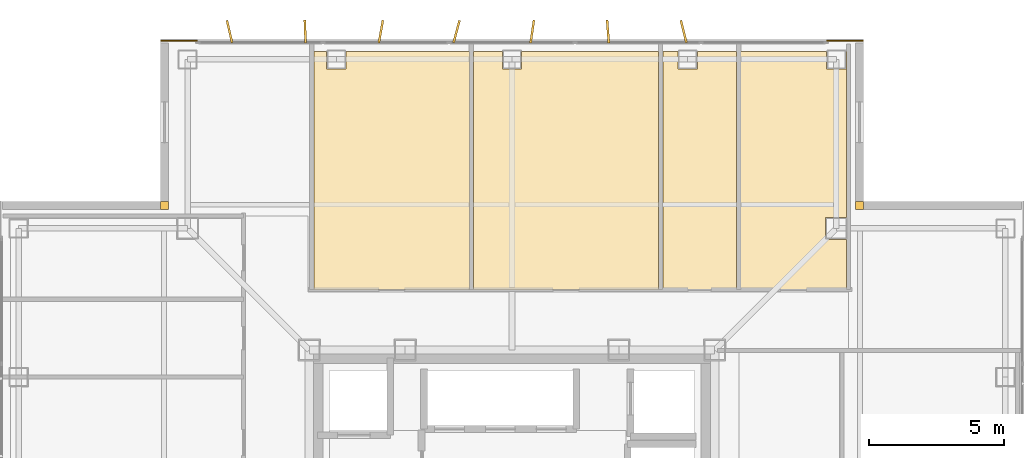
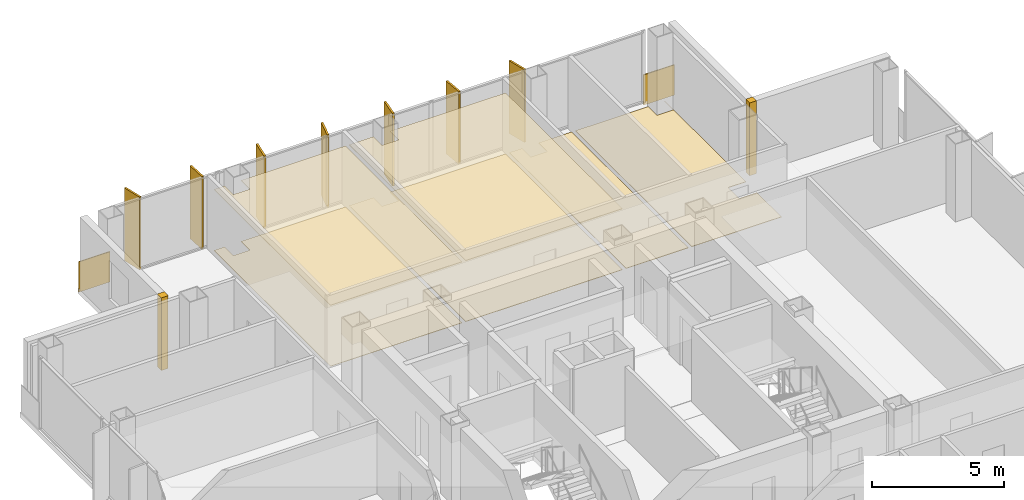
# One storey, part 15 of 15: 10 coverings, 7 shading devices.
"""IFC4 building model written with IfcOpenShell, lengths in metres."""

from ifc_helpers import new_model, si_unit, direction, frame, frame_2d, origin, origin_2d, place, context, subcontext, project, spatial, polyline, rectangle, outline, extrude, material, layer, layer_set, type_object, element, save


model = new_model("IFC4")

# Units and contexts
model_context = context("Model", 3, precision=1e-05, world=origin(), true_north=direction((0.0, 1.0)))
body_context = subcontext(model_context, "Body", "Model", "MODEL_VIEW")
ifc_project = project(units=[si_unit("LENGTHUNIT", "METRE"), si_unit("AREAUNIT", "SQUARE_METRE"), si_unit("VOLUMEUNIT", "CUBIC_METRE"), si_unit("PLANEANGLEUNIT", "RADIAN"), si_unit("MASSUNIT", "GRAM", prefix="KILO")], contexts=[model_context])

# Site, building, storey
site_placement = place(None, origin())
site = spatial("IfcSite", under=ifc_project, at=site_placement, CompositionType="ELEMENT")
building_placement = place(site_placement, origin())
building = spatial("IfcBuilding", under=site, at=building_placement, Name="Trevonay Congress Spire", CompositionType="ELEMENT")
storey_placement = place(building_placement, frame((0.0, 0.0, 239.60009765625)))
storey = spatial("IfcBuildingStorey", under=building, at=storey_placement, Name="L62", CompositionType="ELEMENT", Elevation=239.60009765625)

# Coverings
ifc_material_1 = material(Name="Acoustic Mineral Fibre Board", Category="gypsum")
ifc_layer_1 = layer(ifc_material_1, 0.02490234375, Name="Acoustic Mineral Fibre Board")
ifc_layer_set_1 = layer_set([ifc_layer_1], Name="Acoustic Mineral Fibre Board")
covering_type_1 = type_object("IfcCoveringType", Name="COV-CEIL-ACOUSTIC", PredefinedType="CEILING", material=ifc_layer_set_1)
covering_1_placement = place(storey_placement, frame((0.0, 0.0, 2.809814453125)))
element("IfcCovering", 1, at=covering_1_placement, inside=storey, type_object=covering_type_1, Name="L62 Defense Attache Office acoustic suspended ceiling", PredefinedType="CEILING", context=body_context, shape_type="SweptSolid", body=[
    extrude(outline(polyline([(-1.580078125, 18.550048828125), (-1.580078125, 9.72998046875), (-7.320068359375, 9.72998046875), (-7.320068359375, 18.550048828125), (-6.860107421875, 18.550048828125), (-6.860107421875, 17.889892578125), (-6.139892578125, 17.889892578125), (-6.139892578125, 18.550048828125), (-1.580078125, 18.550048828125)])), origin(), (0.0, 0.0, 1.0), 0.025146484375),
])
covering_2_placement = place(storey_placement, frame((0.0, 0.0, 2.809814453125)))
element("IfcCovering", 2, at=covering_2_placement, inside=storey, type_object=covering_type_1, Name="L62 Trade Attache Office acoustic suspended ceiling", PredefinedType="CEILING", context=body_context, shape_type="SweptSolid", body=[
    extrude(outline(polyline([(5.419921875, 18.550048828125), (5.419921875, 9.72998046875), (-1.419921875, 9.72998046875), (-1.419921875, 18.550048828125), (-0.360107421875, 18.550048828125), (-0.360107421875, 17.889892578125), (0.360107421875, 17.889892578125), (0.360107421875, 18.550048828125), (5.419921875, 18.550048828125)])), origin(), (0.0, 0.0, 1.0), 0.025146484375),
])
ifc_material_2 = material(Name="Polished Granite Floor Tile", Category="masonry")
ifc_layer_2 = layer(ifc_material_2, 0.02001953125, Name="Polished Granite Floor Tile")
ifc_layer_set_2 = layer_set([ifc_layer_2], Name="Polished Granite Floor Tile")
covering_type_2 = type_object("IfcCoveringType", Name="COV-FLOOR-STONE", PredefinedType="FLOORING", material=ifc_layer_set_2)
covering_3_placement = place(storey_placement, origin())
element("IfcCovering", 3, at=covering_3_placement, inside=storey, type_object=covering_type_2, Name="L62 Female Restroom WC floor finish", PredefinedType="FLOORING", context=body_context, shape_type="SweptSolid", body=[
    extrude(outline(polyline([(8.300048828125, 18.550048828125), (8.300048828125, 9.72998046875), (5.580078125, 9.72998046875), (5.580078125, 18.550048828125), (6.139892578125, 18.550048828125), (6.139892578125, 17.889892578125), (6.860107421875, 17.889892578125), (6.860107421875, 18.550048828125), (8.300048828125, 18.550048828125)])), origin(), (0.0, 0.0, 1.0), 0.02001953125),
])
covering_4_placement = place(storey_placement, origin())
element("IfcCovering", 4, at=covering_4_placement, inside=storey, type_object=covering_type_2, Name="L62 Floor Supplies and Copy Room floor finish", PredefinedType="FLOORING", context=body_context, shape_type="SweptSolid", body=[
    extrude(outline(polyline([(12.3701171875, 9.72998046875), (8.4599609375, 9.72998046875), (8.4599609375, 18.550048828125), (11.639892578125, 18.550048828125), (11.639892578125, 17.889892578125), (12.360107421875, 17.889892578125), (12.360107421875, 18.550048828125), (12.3701171875, 18.550048828125), (12.3701171875, 12.409912109375), (11.590087890625, 12.409912109375), (11.590087890625, 11.590087890625), (12.3701171875, 11.590087890625), (12.3701171875, 9.72998046875)])), origin(), (0.0, 0.0, 1.0), 0.02001953125),
])
ifc_material_3 = material(Name="Engineered Oak Flooring", Category="wood")
ifc_layer_3 = layer(ifc_material_3, 0.01806640625, Name="Engineered Oak Flooring")
ifc_layer_set_3 = layer_set([ifc_layer_3], Name="Engineered Oak Flooring")
covering_type_3 = type_object("IfcCoveringType", Name="COV-FLOOR-TIMBER", PredefinedType="FLOORING", material=ifc_layer_set_3)
covering_5_placement = place(storey_placement, origin())
element("IfcCovering", 5, at=covering_5_placement, inside=storey, type_object=covering_type_3, Name="L62 Defense Attache Office floor finish", PredefinedType="FLOORING", context=body_context, shape_type="SweptSolid", body=[
    extrude(outline(polyline([(-1.580078125, 18.550048828125), (-1.580078125, 9.72998046875), (-7.320068359375, 9.72998046875), (-7.320068359375, 18.550048828125), (-6.860107421875, 18.550048828125), (-6.860107421875, 17.889892578125), (-6.139892578125, 17.889892578125), (-6.139892578125, 18.550048828125), (-1.580078125, 18.550048828125)])), origin(), (0.0, 0.0, 1.0), 0.017822265625),
])
covering_6_placement = place(storey_placement, origin())
element("IfcCovering", 6, at=covering_6_placement, inside=storey, type_object=covering_type_3, Name="L62 Trade Attache Office floor finish", PredefinedType="FLOORING", context=body_context, shape_type="SweptSolid", body=[
    extrude(outline(polyline([(5.419921875, 18.550048828125), (5.419921875, 9.72998046875), (-1.419921875, 9.72998046875), (-1.419921875, 18.550048828125), (-0.360107421875, 18.550048828125), (-0.360107421875, 17.889892578125), (0.360107421875, 17.889892578125), (0.360107421875, 18.550048828125), (5.419921875, 18.550048828125)])), origin(), (0.0, 0.0, 1.0), 0.017822265625),
])
ifc_material_4 = material(Name="Pale Anodised Aluminium EN AW-6063-T6", Category="aluminium")
ifc_layer_4 = layer(ifc_material_4, 0.0400390625, Name="Pale Anodised Aluminium EN AW-6063-T6")
ifc_layer_set_4 = layer_set([ifc_layer_4], Name="Pale Anodised Aluminium EN AW-6063-T6")
covering_type_4 = type_object("IfcCoveringType", Name="COV-SPANDREL-PALE-METAL", PredefinedType="CLADDING", material=ifc_layer_set_4)
covering_7_placement = place(storey_placement, origin())
element("IfcCovering", 7, at=covering_7_placement, inside=storey, type_object=covering_type_4, Name="L62 NE re-entrant notch corner closure trim", PredefinedType="CLADDING", context=body_context, shape_type="SweptSolid", body=[
    extrude(outline(polyline([(12.699951171875, 12.699951171875), (13.0, 12.699951171875), (13.0, 13.0), (12.699951171875, 13.0), (12.699951171875, 12.699951171875)])), origin(), (0.0, 0.0, 1.0), 3.35986328125),
])
covering_8_placement = place(storey_placement, frame((11.64990234375, 18.93994140625, -0.150146484375), z_axis=(0.0, 0.0, 1.0), x_axis=(1.0, 0.0, 0.0)))
element("IfcCovering", 8, at=covering_8_placement, inside=storey, type_object=covering_type_4, Name="L62 NE corner pier spandrel cladding 2", PredefinedType="CLADDING", context=body_context, shape_type="SweptSolid", body=[
    extrude(rectangle(XDim=1.35009765625, YDim=0.0400390625, at=frame_2d((0.675048828125, 0.0))), origin(), (0.0, 0.0, 1.0), 1.400146484375),
])
covering_9_placement = place(storey_placement, origin())
element("IfcCovering", 9, at=covering_9_placement, inside=storey, type_object=covering_type_4, Name="L62 NW re-entrant notch corner closure trim", PredefinedType="CLADDING", context=body_context, shape_type="SweptSolid", body=[
    extrude(outline(polyline([(-13.0, 12.699951171875), (-12.699951171875, 12.699951171875), (-12.699951171875, 13.0), (-13.0, 13.0), (-13.0, 12.699951171875)])), origin(), (0.0, 0.0, 1.0), 3.35986328125),
])
covering_10_placement = place(storey_placement, frame((-11.64990234375, 18.93994140625, -0.150146484375), z_axis=(0.0, 0.0, 1.0), x_axis=(-1.0, 0.0, 0.0)))
element("IfcCovering", 10, at=covering_10_placement, inside=storey, type_object=covering_type_4, Name="L62 NW corner pier spandrel cladding 2", PredefinedType="CLADDING", context=body_context, shape_type="SweptSolid", body=[
    extrude(rectangle(XDim=1.35009765625, YDim=0.0400390625, at=frame_2d((0.675048828125, 0.0))), origin(), (0.0, 0.0, 1.0), 1.400146484375),
])

# Shading devices
shading_device_type = type_object("IfcShadingDeviceType", Name="SHD-FIN-Z4-PALE-METAL", PredefinedType="USERDEFINED", material=ifc_material_4)
for number, where, z_axis, x_axis, name in (
    (11, (-10.449951171875, 19.280029296875, 0.0), (0.0, 0.0, 1.0), (0.97440931131, 0.224780991261, 0.0), "L62 N vertical pale-metal solar fin 1"),
    (12, (-7.64990234375, 19.280029296875, 0.0), (0.0, 0.0, 1.0), (0.999235873152, 0.039085416795, 0.0), "L62 N vertical pale-metal solar fin 2"),
    (13, (-4.85009765625, 19.280029296875, 0.0), (0.0, 0.0, 1.0), (0.984195607969, -0.17708474032, 0.0), "L62 N vertical pale-metal solar fin 3"),
    (14, (-2.050048828125, 19.280029296875, 0.0), (0.0, 0.0, 1.0), (0.966106280664, -0.258144638645, 0.0), "L62 N vertical pale-metal solar fin 4"),
    (15, (0.75, 19.280029296875, 0.0), (0.0, 0.0, 1.0), (0.989144474801, -0.146946275799, 0.0), "L62 N vertical pale-metal solar fin 5"),
    (16, (3.550048828125, 19.280029296875, 0.0), (0.0, 0.0, 1.0), (0.997025911491, 0.077067060513, 0.0), "L62 N vertical pale-metal solar fin 6"),
    (17, (6.35009765625, 19.280029296875, 0.0), (0.0, 0.0, 1.0), (0.970464383152, 0.241244442494, 0.0), "L62 N vertical pale-metal solar fin 7"),
):
    element("IfcShadingDevice", number, at=place(storey_placement, frame(where, z_axis=z_axis, x_axis=x_axis)), inside=storey, type_object=shading_device_type, Name=name, ObjectType="SOLAR FIN", PredefinedType="USERDEFINED", context=body_context, shape_type="SweptSolid", body=[
        extrude(rectangle(XDim=0.080078125, YDim=0.85009765625, at=origin_2d()), origin(), (0.0, 0.0, 1.0), 3.360107421875),
    ])

save(model, "model.ifc")
